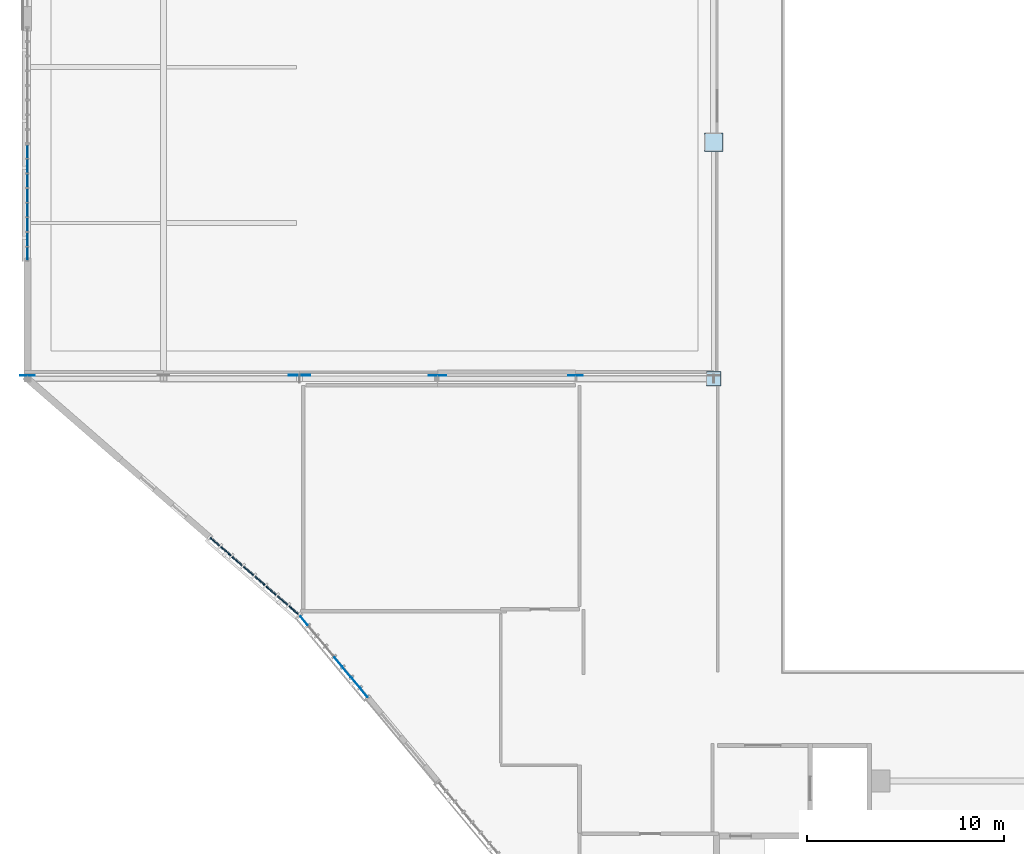
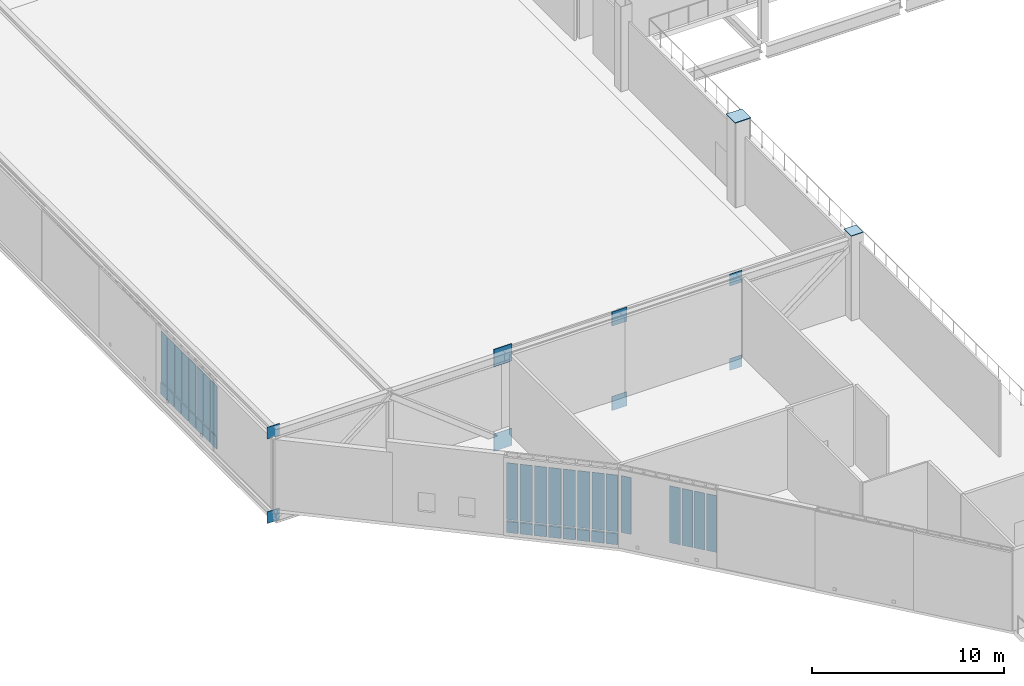
# One storey, part 74 of 135: 47 plates, 3 elements without a shape of their own.
"""IFC4 building model written with IfcOpenShell, lengths in metres."""

from ifc_helpers import new_model, si_unit, direction, frame, origin, origin_2d, place, context, subcontext, project, spatial, rectangle, extrude, material, layer, layer_set, type_object, element, aggregate, save


model = new_model("IFC4")

# Units and contexts
model_context = context("Model", 3, precision=1e-05, world=origin(), true_north=direction((0.0, 1.0)))
body_context = subcontext(model_context, "Body", "Model", "MODEL_VIEW")
ifc_project = project(units=[si_unit("LENGTHUNIT", "METRE"), si_unit("AREAUNIT", "SQUARE_METRE"), si_unit("VOLUMEUNIT", "CUBIC_METRE"), si_unit("PLANEANGLEUNIT", "RADIAN"), si_unit("MASSUNIT", "GRAM", prefix="KILO")], contexts=[model_context])

# Site, building, storey
site_placement = place(None, origin())
site = spatial("IfcSite", under=ifc_project, at=site_placement, CompositionType="ELEMENT")
building_placement = place(site_placement, origin())
building = spatial("IfcBuilding", under=site, at=building_placement, Name="Larkvane Passage Sports Hall", CompositionType="ELEMENT")
storey_placement = place(building_placement, frame((0.0, 0.0, 16.800048828125)))
storey = spatial("IfcBuildingStorey", under=building, at=storey_placement, Name="L03", CompositionType="ELEMENT", Elevation=16.800048828125)

# Curtain wall, plates
ifc_material_1 = material(Name="Thermally broken aluminium and low-E glazing", Category="aluminium")
curtain_wall_type_1 = type_object("IfcCurtainWallType", Name="CW-CLINIC", PredefinedType="USERDEFINED", material=ifc_material_1)
curtain_wall_1_placement = place(storey_placement, origin())
curtain_wall_1 = element("IfcCurtainWall", 1, at=curtain_wall_1_placement, inside=storey, type_object=curtain_wall_type_1, Name="Curtain wall CW5-L03-131", ObjectType="UNITISED CURTAIN WALL", PredefinedType="USERDEFINED")
ifc_material_2 = material(Name="Deep insulated facade spandrel panel")
ifc_layer_1 = layer(ifc_material_2, 0.125)
ifc_layer_set_1 = layer_set([ifc_layer_1], Name="Deep insulated facade spandrel panel")
plate_type_1 = type_object("IfcPlateType", Name="CWP-SPD-125", PredefinedType="CURTAIN_PANEL", material=ifc_layer_set_1)
plate_1_placement = place(storey_placement, frame((13.49365234375, 39.866455078125, 0.10009765625), z_axis=(0.0, 0.0, 1.0), x_axis=(-0.754605522159, 0.65617871493, 0.0)))
plate_1 = element("IfcPlate", 2, at=plate_1_placement, type_object=plate_type_1, Name="CW-05 panel 1.1", PredefinedType="CURTAIN_PANEL", context=body_context, shape_type="SweptSolid", body=[
    extrude(rectangle(XDim=0.612060546875, YDim=0.125, at=origin_2d()), origin(), (0.0, 0.0, 1.0), 0.699951171875),
])
plate_2_placement = place(storey_placement, frame((12.9375, 40.35009765625, 0.10009765625), z_axis=(0.0, 0.0, 1.0), x_axis=(-0.754605522159, 0.65617871493, 0.0)))
plate_2 = element("IfcPlate", 3, at=plate_2_placement, type_object=plate_type_1, Name="CW-05 panel 2.1", PredefinedType="CURTAIN_PANEL", context=body_context, shape_type="SweptSolid", body=[
    extrude(rectangle(XDim=0.662109375, YDim=0.125, at=origin_2d()), origin(), (0.0, 0.0, 1.0), 0.699951171875),
])
plate_3_placement = place(storey_placement, frame((12.362548828125, 40.85009765625, 0.10009765625), z_axis=(0.0, 0.0, 1.0), x_axis=(-0.754605522159, 0.65617871493, 0.0)))
plate_3 = element("IfcPlate", 4, at=plate_3_placement, type_object=plate_type_1, Name="CW-05 panel 3.1", PredefinedType="CURTAIN_PANEL", context=body_context, shape_type="SweptSolid", body=[
    extrude(rectangle(XDim=0.662109375, YDim=0.125, at=origin_2d()), origin(), (0.0, 0.0, 1.0), 0.699951171875),
])
plate_4_placement = place(storey_placement, frame((11.78759765625, 41.35009765625, 0.10009765625), z_axis=(0.0, 0.0, 1.0), x_axis=(-0.754605522159, 0.65617871493, 0.0)))
plate_4 = element("IfcPlate", 5, at=plate_4_placement, type_object=plate_type_1, Name="CW-05 panel 4.1", PredefinedType="CURTAIN_PANEL", context=body_context, shape_type="SweptSolid", body=[
    extrude(rectangle(XDim=0.662109375, YDim=0.125, at=origin_2d()), origin(), (0.0, 0.0, 1.0), 0.699951171875),
])
plate_5_placement = place(storey_placement, frame((11.21240234375, 41.85009765625, 0.10009765625), z_axis=(0.0, 0.0, 1.0), x_axis=(-0.754605522159, 0.65617871493, 0.0)))
plate_5 = element("IfcPlate", 6, at=plate_5_placement, type_object=plate_type_1, Name="CW-05 panel 5.1", PredefinedType="CURTAIN_PANEL", context=body_context, shape_type="SweptSolid", body=[
    extrude(rectangle(XDim=0.662109375, YDim=0.125, at=origin_2d()), origin(), (0.0, 0.0, 1.0), 0.699951171875),
])
plate_6_placement = place(storey_placement, frame((10.637451171875, 42.35009765625, 0.10009765625), z_axis=(0.0, 0.0, 1.0), x_axis=(-0.754605522159, 0.65617871493, 0.0)))
plate_6 = element("IfcPlate", 7, at=plate_6_placement, type_object=plate_type_1, Name="CW-05 panel 6.1", PredefinedType="CURTAIN_PANEL", context=body_context, shape_type="SweptSolid", body=[
    extrude(rectangle(XDim=0.662109375, YDim=0.125, at=origin_2d()), origin(), (0.0, 0.0, 1.0), 0.699951171875),
])
plate_7_placement = place(storey_placement, frame((10.0625, 42.85009765625, 0.10009765625), z_axis=(0.0, 0.0, 1.0), x_axis=(-0.754605522159, 0.65617871493, 0.0)))
plate_7 = element("IfcPlate", 8, at=plate_7_placement, type_object=plate_type_1, Name="CW-05 panel 7.1", PredefinedType="CURTAIN_PANEL", context=body_context, shape_type="SweptSolid", body=[
    extrude(rectangle(XDim=0.662109375, YDim=0.125, at=origin_2d()), origin(), (0.0, 0.0, 1.0), 0.699951171875),
])
plate_8_placement = place(storey_placement, frame((9.50634765625, 43.33349609375, 0.10009765625), z_axis=(0.0, 0.0, 1.0), x_axis=(-0.754605522159, 0.65617871493, 0.0)))
plate_8 = element("IfcPlate", 9, at=plate_8_placement, type_object=plate_type_1, Name="CW-05 panel 8.1", PredefinedType="CURTAIN_PANEL", context=body_context, shape_type="SweptSolid", body=[
    extrude(rectangle(XDim=0.612060546875, YDim=0.125, at=origin_2d()), origin(), (0.0, 0.0, 1.0), 0.699951171875),
])

curtain_wall_type_2 = type_object("IfcCurtainWallType", Name="CW-UNIT-COURT", PredefinedType="USERDEFINED", material=ifc_material_1)
curtain_wall_2_placement = place(storey_placement, origin())
curtain_wall_2 = element("IfcCurtainWall", 10, at=curtain_wall_2_placement, inside=storey, type_object=curtain_wall_type_2, Name="Curtain wall CW5-L03-132", ObjectType="UNITISED CURTAIN WALL", PredefinedType="USERDEFINED")
ifc_material_3 = material(Name="Insulated aluminium spandrel panel", Category="aluminium")
ifc_layer_2 = layer(ifc_material_3, 0.06494140625)
ifc_layer_set_2 = layer_set([ifc_layer_2], Name="Insulated aluminium spandrel panel")
plate_type_2 = type_object("IfcPlateType", Name="CWP-SPD-65", PredefinedType="CURTAIN_PANEL", material=ifc_layer_set_2)
plate_9_placement = place(storey_placement, frame((0.0, 57.936767578125, 0.06005859375), z_axis=(0.0, 0.0, 1.0), x_axis=(0.0, 1.0, 0.0)))
plate_9 = element("IfcPlate", 11, at=plate_9_placement, type_object=plate_type_2, Name="CW-01 panel 1.1", PredefinedType="CURTAIN_PANEL", context=body_context, shape_type="SweptSolid", body=[
    extrude(rectangle(XDim=0.65380859375, YDim=0.06494140625, at=origin_2d()), origin(), (0.0, 0.0, 1.0), 0.760009765625),
])
plate_10_placement = place(storey_placement, frame((0.0, 58.66552734375, 0.06005859375), z_axis=(0.0, 0.0, 1.0), x_axis=(0.0, 1.0, 0.0)))
plate_10 = element("IfcPlate", 12, at=plate_10_placement, type_object=plate_type_2, Name="CW-01 panel 2.1", PredefinedType="CURTAIN_PANEL", context=body_context, shape_type="SweptSolid", body=[
    extrude(rectangle(XDim=0.683837890625, YDim=0.06494140625, at=origin_2d()), origin(), (0.0, 0.0, 1.0), 0.760009765625),
])
plate_11_placement = place(storey_placement, frame((0.0, 59.409423828125, 0.06005859375), z_axis=(0.0, 0.0, 1.0), x_axis=(0.0, 1.0, 0.0)))
plate_11 = element("IfcPlate", 13, at=plate_11_placement, type_object=plate_type_2, Name="CW-01 panel 3.1", PredefinedType="CURTAIN_PANEL", context=body_context, shape_type="SweptSolid", body=[
    extrude(rectangle(XDim=0.683837890625, YDim=0.06494140625, at=origin_2d()), origin(), (0.0, 0.0, 1.0), 0.760009765625),
])
plate_12_placement = place(storey_placement, frame((0.0, 60.153076171875, 0.06005859375), z_axis=(0.0, 0.0, 1.0), x_axis=(0.0, 1.0, 0.0)))
plate_12 = element("IfcPlate", 14, at=plate_12_placement, type_object=plate_type_2, Name="CW-01 panel 4.1", PredefinedType="CURTAIN_PANEL", context=body_context, shape_type="SweptSolid", body=[
    extrude(rectangle(XDim=0.683837890625, YDim=0.06494140625, at=origin_2d()), origin(), (0.0, 0.0, 1.0), 0.760009765625),
])
plate_13_placement = place(storey_placement, frame((0.0, 60.89697265625, 0.06005859375), z_axis=(0.0, 0.0, 1.0), x_axis=(0.0, 1.0, 0.0)))
plate_13 = element("IfcPlate", 15, at=plate_13_placement, type_object=plate_type_2, Name="CW-01 panel 5.1", PredefinedType="CURTAIN_PANEL", context=body_context, shape_type="SweptSolid", body=[
    extrude(rectangle(XDim=0.683837890625, YDim=0.06494140625, at=origin_2d()), origin(), (0.0, 0.0, 1.0), 0.760009765625),
])
plate_14_placement = place(storey_placement, frame((0.0, 61.640625, 0.06005859375), z_axis=(0.0, 0.0, 1.0), x_axis=(0.0, 1.0, 0.0)))
plate_14 = element("IfcPlate", 16, at=plate_14_placement, type_object=plate_type_2, Name="CW-01 panel 6.1", PredefinedType="CURTAIN_PANEL", context=body_context, shape_type="SweptSolid", body=[
    extrude(rectangle(XDim=0.683837890625, YDim=0.06494140625, at=origin_2d()), origin(), (0.0, 0.0, 1.0), 0.760009765625),
])
plate_15_placement = place(storey_placement, frame((0.0, 62.38427734375, 0.06005859375), z_axis=(0.0, 0.0, 1.0), x_axis=(0.0, 1.0, 0.0)))
plate_15 = element("IfcPlate", 17, at=plate_15_placement, type_object=plate_type_2, Name="CW-01 panel 7.1", PredefinedType="CURTAIN_PANEL", context=body_context, shape_type="SweptSolid", body=[
    extrude(rectangle(XDim=0.683837890625, YDim=0.06494140625, at=origin_2d()), origin(), (0.0, 0.0, 1.0), 0.760009765625),
])
plate_16_placement = place(storey_placement, frame((0.0, 63.113037109375, 0.06005859375), z_axis=(0.0, 0.0, 1.0), x_axis=(0.0, 1.0, 0.0)))
plate_16 = element("IfcPlate", 18, at=plate_16_placement, type_object=plate_type_2, Name="CW-01 panel 8.1", PredefinedType="CURTAIN_PANEL", context=body_context, shape_type="SweptSolid", body=[
    extrude(rectangle(XDim=0.65380859375, YDim=0.06494140625, at=origin_2d()), origin(), (0.0, 0.0, 1.0), 0.760009765625),
])
ifc_material_4 = material(Name="Solar-control low-E double glazing", Category="glass")
ifc_layer_3 = layer(ifc_material_4, 0.028076171875)
ifc_layer_set_3 = layer_set([ifc_layer_3], Name="Solar-control low-E double glazing")
plate_type_3 = type_object("IfcPlateType", Name="CWP-VIS-28", PredefinedType="CURTAIN_PANEL", material=ifc_layer_set_3)
plate_17_placement = place(storey_placement, frame((0.0, 57.936767578125, 0.8798828125), z_axis=(0.0, 0.0, 1.0), x_axis=(0.0, 1.0, 0.0)))
plate_17 = element("IfcPlate", 19, at=plate_17_placement, type_object=plate_type_3, Name="CW-01 panel 1.2", PredefinedType="CURTAIN_PANEL", context=body_context, shape_type="SweptSolid", body=[
    extrude(rectangle(XDim=0.65380859375, YDim=0.028076171875, at=origin_2d()), origin(), (0.0, 0.0, 1.0), 3.18798828125),
])
plate_18_placement = place(storey_placement, frame((0.0, 58.66552734375, 0.8798828125), z_axis=(0.0, 0.0, 1.0), x_axis=(0.0, 1.0, 0.0)))
plate_18 = element("IfcPlate", 20, at=plate_18_placement, type_object=plate_type_3, Name="CW-01 panel 2.2", PredefinedType="CURTAIN_PANEL", context=body_context, shape_type="SweptSolid", body=[
    extrude(rectangle(XDim=0.683837890625, YDim=0.028076171875, at=origin_2d()), origin(), (0.0, 0.0, 1.0), 3.18798828125),
])
plate_19_placement = place(storey_placement, frame((0.0, 59.409423828125, 0.8798828125), z_axis=(0.0, 0.0, 1.0), x_axis=(0.0, 1.0, 0.0)))
plate_19 = element("IfcPlate", 21, at=plate_19_placement, type_object=plate_type_3, Name="CW-01 panel 3.2", PredefinedType="CURTAIN_PANEL", context=body_context, shape_type="SweptSolid", body=[
    extrude(rectangle(XDim=0.683837890625, YDim=0.028076171875, at=origin_2d()), origin(), (0.0, 0.0, 1.0), 3.18798828125),
])
plate_20_placement = place(storey_placement, frame((0.0, 60.153076171875, 0.8798828125), z_axis=(0.0, 0.0, 1.0), x_axis=(0.0, 1.0, 0.0)))
plate_20 = element("IfcPlate", 22, at=plate_20_placement, type_object=plate_type_3, Name="CW-01 panel 4.2", PredefinedType="CURTAIN_PANEL", context=body_context, shape_type="SweptSolid", body=[
    extrude(rectangle(XDim=0.683837890625, YDim=0.028076171875, at=origin_2d()), origin(), (0.0, 0.0, 1.0), 3.18798828125),
])
plate_21_placement = place(storey_placement, frame((0.0, 60.89697265625, 0.8798828125), z_axis=(0.0, 0.0, 1.0), x_axis=(0.0, 1.0, 0.0)))
plate_21 = element("IfcPlate", 23, at=plate_21_placement, type_object=plate_type_3, Name="CW-01 panel 5.2", PredefinedType="CURTAIN_PANEL", context=body_context, shape_type="SweptSolid", body=[
    extrude(rectangle(XDim=0.683837890625, YDim=0.028076171875, at=origin_2d()), origin(), (0.0, 0.0, 1.0), 3.18798828125),
])
plate_22_placement = place(storey_placement, frame((0.0, 61.640625, 0.8798828125), z_axis=(0.0, 0.0, 1.0), x_axis=(0.0, 1.0, 0.0)))
plate_22 = element("IfcPlate", 24, at=plate_22_placement, type_object=plate_type_3, Name="CW-01 panel 6.2", PredefinedType="CURTAIN_PANEL", context=body_context, shape_type="SweptSolid", body=[
    extrude(rectangle(XDim=0.683837890625, YDim=0.028076171875, at=origin_2d()), origin(), (0.0, 0.0, 1.0), 3.18798828125),
])
plate_23_placement = place(storey_placement, frame((0.0, 62.38427734375, 0.8798828125), z_axis=(0.0, 0.0, 1.0), x_axis=(0.0, 1.0, 0.0)))
plate_23 = element("IfcPlate", 25, at=plate_23_placement, type_object=plate_type_3, Name="CW-01 panel 7.2", PredefinedType="CURTAIN_PANEL", context=body_context, shape_type="SweptSolid", body=[
    extrude(rectangle(XDim=0.683837890625, YDim=0.028076171875, at=origin_2d()), origin(), (0.0, 0.0, 1.0), 3.18798828125),
])
plate_24_placement = place(storey_placement, frame((0.0, 63.113037109375, 0.8798828125), z_axis=(0.0, 0.0, 1.0), x_axis=(0.0, 1.0, 0.0)))
plate_24 = element("IfcPlate", 26, at=plate_24_placement, type_object=plate_type_3, Name="CW-01 panel 8.2", PredefinedType="CURTAIN_PANEL", context=body_context, shape_type="SweptSolid", body=[
    extrude(rectangle(XDim=0.65380859375, YDim=0.028076171875, at=origin_2d()), origin(), (0.0, 0.0, 1.0), 3.18798828125),
])
aggregate(curtain_wall_2, [plate_9, plate_17, plate_10, plate_18, plate_11, plate_19, plate_12, plate_20, plate_13, plate_21, plate_14, plate_22, plate_15, plate_23, plate_16, plate_24])

curtain_wall_type_3 = type_object("IfcCurtainWallType", Name="CW-STICK-FOYER", PredefinedType="USERDEFINED", material=ifc_material_1)
curtain_wall_3_placement = place(storey_placement, origin())
curtain_wall_3 = element("IfcCurtainWall", 27, at=curtain_wall_3_placement, inside=storey, type_object=curtain_wall_type_3, Name="Curtain wall CW5-L03-130", ObjectType="STICK CURTAIN WALL", PredefinedType="USERDEFINED")
ifc_material_5 = material(Name="High-impact court low-E glazing", Category="glass")
ifc_layer_4 = layer(ifc_material_5, 0.035888671875)
ifc_layer_set_4 = layer_set([ifc_layer_4], Name="High-impact court low-E glazing")
plate_type_4 = type_object("IfcPlateType", Name="CWP-VIS-36", PredefinedType="CURTAIN_PANEL", material=ifc_layer_set_4)
plate_25_placement = place(storey_placement, frame((17.06689453125, 35.6796875, 0.89501953125), z_axis=(0.0, 0.0, 1.0), x_axis=(-0.640184399661, 0.7682212796, 0.0)))
plate_25 = element("IfcPlate", 28, at=plate_25_placement, type_object=plate_type_4, Name="CW-03 panel 1.2", PredefinedType="CURTAIN_PANEL", context=body_context, shape_type="SweptSolid", body=[
    extrude(rectangle(XDim=0.54833984375, YDim=0.035888671875, at=origin_2d()), origin(), (0.0, 0.0, 1.0), 3.610107421875),
])
plate_26_placement = place(storey_placement, frame((16.643798828125, 36.1875, 0.89501953125), z_axis=(0.0, 0.0, 1.0), x_axis=(-0.640184399661, 0.7682212796, 0.0)))
plate_26 = element("IfcPlate", 29, at=plate_26_placement, type_object=plate_type_4, Name="CW-03 panel 2.2", PredefinedType="CURTAIN_PANEL", context=body_context, shape_type="SweptSolid", body=[
    extrude(rectangle(XDim=0.593505859375, YDim=0.035888671875, at=origin_2d()), origin(), (0.0, 0.0, 1.0), 3.610107421875),
])
plate_27_placement = place(storey_placement, frame((16.206298828125, 36.71240234375, 0.89501953125), z_axis=(0.0, 0.0, 1.0), x_axis=(-0.640184399661, 0.7682212796, 0.0)))
plate_27 = element("IfcPlate", 30, at=plate_27_placement, type_object=plate_type_4, Name="CW-03 panel 3.2", PredefinedType="CURTAIN_PANEL", context=body_context, shape_type="SweptSolid", body=[
    extrude(rectangle(XDim=0.593505859375, YDim=0.035888671875, at=origin_2d()), origin(), (0.0, 0.0, 1.0), 3.610107421875),
])
plate_28_placement = place(storey_placement, frame((15.768798828125, 37.237548828125, 0.89501953125), z_axis=(0.0, 0.0, 1.0), x_axis=(-0.640184399661, 0.7682212796, 0.0)))
plate_28 = element("IfcPlate", 31, at=plate_28_placement, type_object=plate_type_4, Name="CW-03 panel 4.2", PredefinedType="CURTAIN_PANEL", context=body_context, shape_type="SweptSolid", body=[
    extrude(rectangle(XDim=0.593505859375, YDim=0.035888671875, at=origin_2d()), origin(), (0.0, 0.0, 1.0), 3.610107421875),
])
plate_29_placement = place(storey_placement, frame((14.033203125, 39.3203125, 0.89501953125), z_axis=(0.0, 0.0, 1.0), x_axis=(-0.640184399661, 0.7682212796, 0.0)))
plate_29 = element("IfcPlate", 32, at=plate_29_placement, type_object=plate_type_4, Name="CW-03 panel 8.2", PredefinedType="CURTAIN_PANEL", context=body_context, shape_type="SweptSolid", body=[
    extrude(rectangle(XDim=0.54833984375, YDim=0.035888671875, at=origin_2d()), origin(), (0.0, 0.0, 1.0), 3.610107421875),
])
aggregate(curtain_wall_3, [plate_25, plate_26, plate_27, plate_28, plate_29])

# Plate
ifc_material_6 = material(Name="Triple-laminated typhoon glazing", Category="glass")
ifc_layer_5 = layer(ifc_material_6, 0.0419921875)
ifc_layer_set_5 = layer_set([ifc_layer_5], Name="Triple-laminated typhoon glazing")
plate_type_5 = type_object("IfcPlateType", Name="CWP-VIS-42", PredefinedType="CURTAIN_PANEL", material=ifc_layer_set_5)
plate_30_placement = place(storey_placement, frame((13.49365234375, 39.866455078125, 0.89990234375), z_axis=(0.0, 0.0, 1.0), x_axis=(-0.754605522159, 0.65617871493, 0.0)))
plate_30 = element("IfcPlate", 33, at=plate_30_placement, type_object=plate_type_5, Name="CW-05 panel 1.2", PredefinedType="CURTAIN_PANEL", context=body_context, shape_type="SweptSolid", body=[
    extrude(rectangle(XDim=0.612060546875, YDim=0.0419921875, at=origin_2d()), origin(), (0.0, 0.0, 1.0), 3.60009765625),
])

plate_31_placement = place(storey_placement, frame((12.9375, 40.35009765625, 0.89990234375), z_axis=(0.0, 0.0, 1.0), x_axis=(-0.754605522159, 0.65617871493, 0.0)))
plate_31 = element("IfcPlate", 34, at=plate_31_placement, type_object=plate_type_5, Name="CW-05 panel 2.2", PredefinedType="CURTAIN_PANEL", context=body_context, shape_type="SweptSolid", body=[
    extrude(rectangle(XDim=0.662109375, YDim=0.0419921875, at=origin_2d()), origin(), (0.0, 0.0, 1.0), 3.60009765625),
])

plate_32_placement = place(storey_placement, frame((12.362548828125, 40.85009765625, 0.89990234375), z_axis=(0.0, 0.0, 1.0), x_axis=(-0.754605522159, 0.65617871493, 0.0)))
plate_32 = element("IfcPlate", 35, at=plate_32_placement, type_object=plate_type_5, Name="CW-05 panel 3.2", PredefinedType="CURTAIN_PANEL", context=body_context, shape_type="SweptSolid", body=[
    extrude(rectangle(XDim=0.662109375, YDim=0.0419921875, at=origin_2d()), origin(), (0.0, 0.0, 1.0), 3.60009765625),
])

plate_33_placement = place(storey_placement, frame((11.78759765625, 41.35009765625, 0.89990234375), z_axis=(0.0, 0.0, 1.0), x_axis=(-0.754605522159, 0.65617871493, 0.0)))
plate_33 = element("IfcPlate", 36, at=plate_33_placement, type_object=plate_type_5, Name="CW-05 panel 4.2", PredefinedType="CURTAIN_PANEL", context=body_context, shape_type="SweptSolid", body=[
    extrude(rectangle(XDim=0.662109375, YDim=0.0419921875, at=origin_2d()), origin(), (0.0, 0.0, 1.0), 3.60009765625),
])

plate_34_placement = place(storey_placement, frame((11.21240234375, 41.85009765625, 0.89990234375), z_axis=(0.0, 0.0, 1.0), x_axis=(-0.754605522159, 0.65617871493, 0.0)))
plate_34 = element("IfcPlate", 37, at=plate_34_placement, type_object=plate_type_5, Name="CW-05 panel 5.2", PredefinedType="CURTAIN_PANEL", context=body_context, shape_type="SweptSolid", body=[
    extrude(rectangle(XDim=0.662109375, YDim=0.0419921875, at=origin_2d()), origin(), (0.0, 0.0, 1.0), 3.60009765625),
])

plate_35_placement = place(storey_placement, frame((10.637451171875, 42.35009765625, 0.89990234375), z_axis=(0.0, 0.0, 1.0), x_axis=(-0.754605522159, 0.65617871493, 0.0)))
plate_35 = element("IfcPlate", 38, at=plate_35_placement, type_object=plate_type_5, Name="CW-05 panel 6.2", PredefinedType="CURTAIN_PANEL", context=body_context, shape_type="SweptSolid", body=[
    extrude(rectangle(XDim=0.662109375, YDim=0.0419921875, at=origin_2d()), origin(), (0.0, 0.0, 1.0), 3.60009765625),
])

plate_36_placement = place(storey_placement, frame((10.0625, 42.85009765625, 0.89990234375), z_axis=(0.0, 0.0, 1.0), x_axis=(-0.754605522159, 0.65617871493, 0.0)))
plate_36 = element("IfcPlate", 39, at=plate_36_placement, type_object=plate_type_5, Name="CW-05 panel 7.2", PredefinedType="CURTAIN_PANEL", context=body_context, shape_type="SweptSolid", body=[
    extrude(rectangle(XDim=0.662109375, YDim=0.0419921875, at=origin_2d()), origin(), (0.0, 0.0, 1.0), 3.60009765625),
])

plate_37_placement = place(storey_placement, frame((9.50634765625, 43.33349609375, 0.89990234375), z_axis=(0.0, 0.0, 1.0), x_axis=(-0.754605522159, 0.65617871493, 0.0)))
plate_37 = element("IfcPlate", 40, at=plate_37_placement, type_object=plate_type_5, Name="CW-05 panel 8.2", PredefinedType="CURTAIN_PANEL", context=body_context, shape_type="SweptSolid", body=[
    extrude(rectangle(XDim=0.612060546875, YDim=0.0419921875, at=origin_2d()), origin(), (0.0, 0.0, 1.0), 3.60009765625),
])

aggregate(curtain_wall_1, [plate_1, plate_30, plate_2, plate_31, plate_3, plate_32, plate_4, plate_33, plate_5, plate_34, plate_6, plate_35, plate_7, plate_36, plate_8, plate_37])

# Plates
ifc_material_7 = material(Name="Steel S460N", Category="steel")
ifc_layer_6 = layer(ifc_material_7, 0.028076171875)
ifc_layer_set_6 = layer_set([ifc_layer_6], Name="Steel S460N")
plate_type_6 = type_object("IfcPlateType", Name="PLT-CAP-28", PredefinedType="SHEET", material=ifc_layer_set_6)
plate_38_placement = place(storey_placement, frame((34.800048828125, 51.60009765625, 5.39990234375), z_axis=(0.0, 0.0, 1.0), x_axis=(1.0, 0.0, 0.0)))
element("IfcPlate", 41, at=plate_38_placement, inside=storey, type_object=plate_type_6, Name="Hollow section sealed end cap plate 0004", PredefinedType="SHEET", context=body_context, shape_type="SweptSolid", body=[
    extrude(rectangle(XDim=0.739990234375, YDim=0.739990234375, at=origin_2d()), origin(), (0.0, 0.0, 1.0), 0.028076171875),
])
ifc_layer_7 = layer(ifc_material_7, 0.035888671875)
ifc_layer_set_7 = layer_set([ifc_layer_7], Name="Steel S460N")
plate_type_7 = type_object("IfcPlateType", Name="PLT-CAP-36", PredefinedType="SHEET", material=ifc_layer_set_7)
plate_39_placement = place(storey_placement, frame((34.800048828125, 63.60009765625, 5.39990234375), z_axis=(0.0, 0.0, 1.0), x_axis=(1.0, 0.0, 0.0)))
element("IfcPlate", 42, at=plate_39_placement, inside=storey, type_object=plate_type_7, Name="Hollow section sealed end cap plate 0005", PredefinedType="SHEET", context=body_context, shape_type="SweptSolid", body=[
    extrude(rectangle(XDim=0.93994140625, YDim=0.93994140625, at=origin_2d()), origin(), (0.0, 0.0, 1.0), 0.035888671875),
])
ifc_layer_8 = layer(ifc_material_7, 0.02392578125)
ifc_layer_set_8 = layer_set([ifc_layer_8], Name="Steel S460N")
plate_type_8 = type_object("IfcPlateType", Name="PLT-GUS-24", PredefinedType="USERDEFINED", material=ifc_layer_set_8)
for number, where, z_axis, x_axis, name in (
    (43, (0.0, 51.761962890625, -0.989013671875), (0.0, 0.0, 1.0), (1.0, 0.0, 0.0), "Truss node gusset plate ND-1B (CT-W3A-1)"),
    (44, (0.0, 51.761962890625, 4.380859375), (0.0, 0.0, 1.0), (1.0, 0.0, 0.0), "Truss node gusset plate ND-1T (CT-W3A-1)"),
    (45, (27.800048828125, 51.761962890625, -0.989013671875), (0.0, 0.0, 1.0), (1.0, 0.0, 0.0), "Truss node gusset plate ND-5B (CT-W3A-1)"),
    (46, (27.800048828125, 51.761962890625, 4.380859375), (0.0, 0.0, 1.0), (1.0, 0.0, 0.0), "Truss node gusset plate ND-5T (CT-W3A-1)"),
):
    element("IfcPlate", number, at=place(storey_placement, frame(where, z_axis=z_axis, x_axis=x_axis)), inside=storey, type_object=plate_type_8, Name=name, ObjectType="GUSSET PLATE", PredefinedType="USERDEFINED", context=body_context, shape_type="SweptSolid", body=[
        extrude(rectangle(XDim=0.75, YDim=0.02392578125, at=origin_2d()), origin(), (0.0, 0.0, 1.0), 0.75),
    ])
ifc_layer_9 = layer(ifc_material_7, 0.031982421875)
ifc_layer_set_9 = layer_set([ifc_layer_9], Name="Steel S460N")
plate_type_9 = type_object("IfcPlateType", Name="PLT-GUS-32", PredefinedType="USERDEFINED", material=ifc_layer_set_9)
for number, where, z_axis, x_axis, name in (
    (47, (20.800048828125, 51.76611328125, -1.06396484375), (0.0, 0.0, 1.0), (1.0, 0.0, 0.0), "Truss node gusset plate ND-4B (CT-W3A-1)"),
    (48, (20.800048828125, 51.76611328125, 4.305908203125), (0.0, 0.0, 1.0), (1.0, 0.0, 0.0), "Truss node gusset plate ND-4T (CT-W3A-1)"),
):
    element("IfcPlate", number, at=place(storey_placement, frame(where, z_axis=z_axis, x_axis=x_axis)), inside=storey, type_object=plate_type_9, Name=name, ObjectType="GUSSET PLATE", PredefinedType="USERDEFINED", context=body_context, shape_type="SweptSolid", body=[
        extrude(rectangle(XDim=0.89990234375, YDim=0.031982421875, at=origin_2d()), origin(), (0.0, 0.0, 1.0), 0.89990234375),
    ])
ifc_layer_10 = layer(ifc_material_7, 0.0400390625)
ifc_layer_set_10 = layer_set([ifc_layer_10], Name="Steel S460N")
plate_type_10 = type_object("IfcPlateType", Name="PLT-GUS-40", PredefinedType="USERDEFINED", material=ifc_layer_set_10)
for number, where, z_axis, x_axis, name in (
    (49, (13.800048828125, 51.77001953125, -1.1640625), (0.0, 0.0, 1.0), (1.0, 0.0, 0.0), "Truss node gusset plate ND-3B (CT-W3A-1)"),
    (50, (13.800048828125, 51.77001953125, 4.205810546875), (0.0, 0.0, 1.0), (1.0, 0.0, 0.0), "Truss node gusset plate ND-3T (CT-W3A-1)"),
):
    element("IfcPlate", number, at=place(storey_placement, frame(where, z_axis=z_axis, x_axis=x_axis)), inside=storey, type_object=plate_type_10, Name=name, ObjectType="GUSSET PLATE", PredefinedType="USERDEFINED", context=body_context, shape_type="SweptSolid", body=[
        extrude(rectangle(XDim=1.10009765625, YDim=0.0400390625, at=origin_2d()), origin(), (0.0, 0.0, 1.0), 1.10009765625),
    ])

save(model, "model.ifc")
